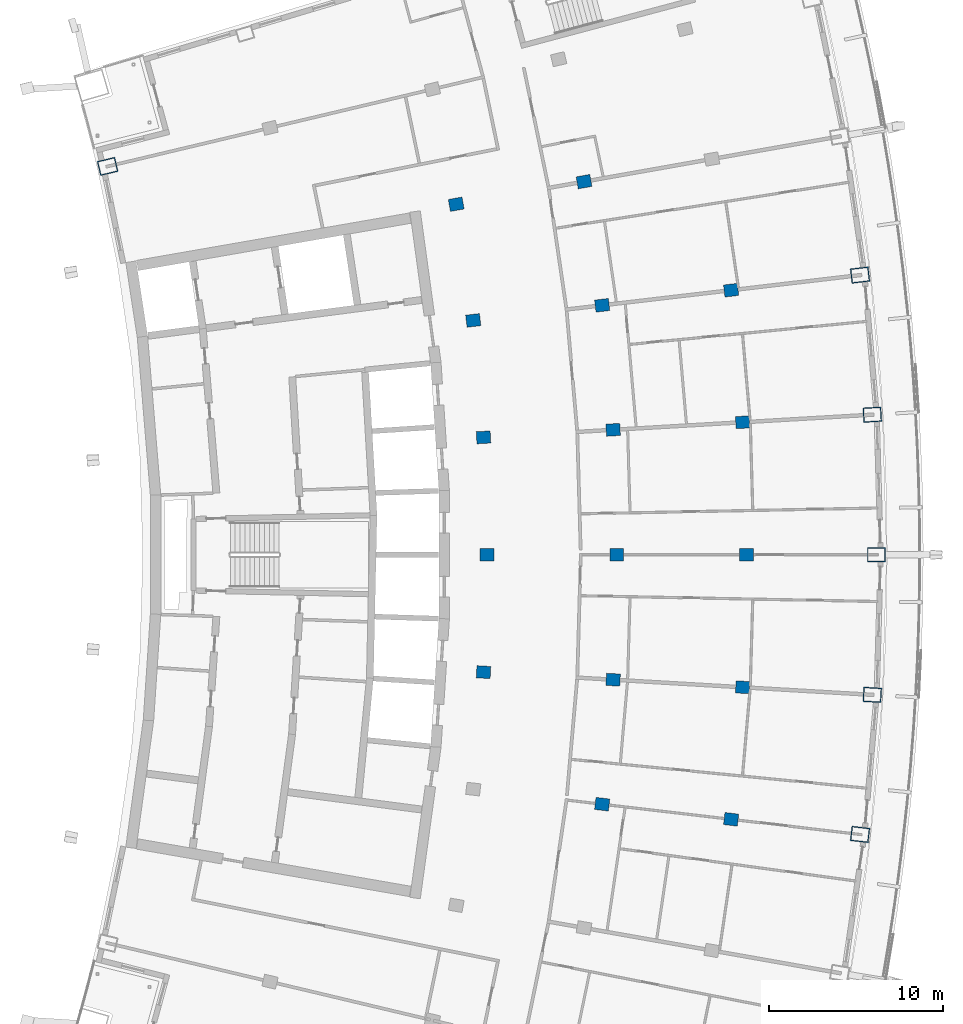
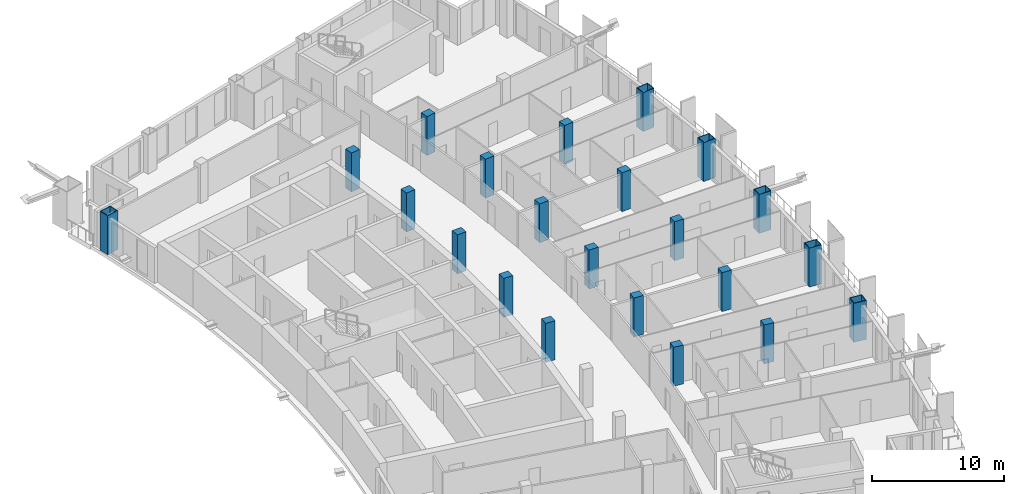
# One storey, part 6 of 21: 22 columns.
"""IFC4 building model written with IfcOpenShell, lengths in metres."""

from ifc_helpers import new_model, si_unit, direction, frame, origin, origin_2d, place, context, subcontext, project, spatial, rectangle, hollow_rectangle, extrude, material, material_profile, profile_set, type_object, element, save


model = new_model("IFC4")

# Units and contexts
model_context = context("Model", 3, precision=1e-05, world=origin(), true_north=direction((0.0, 1.0)))
body_context = subcontext(model_context, "Body", "Model", "MODEL_VIEW")
ifc_project = project(units=[si_unit("LENGTHUNIT", "METRE"), si_unit("AREAUNIT", "SQUARE_METRE"), si_unit("VOLUMEUNIT", "CUBIC_METRE"), si_unit("PLANEANGLEUNIT", "RADIAN"), si_unit("MASSUNIT", "GRAM", prefix="KILO")], contexts=[model_context])

# Site, building, storey
site_placement = place(None, origin())
site = spatial("IfcSite", under=ifc_project, at=site_placement, CompositionType="ELEMENT")
building_placement = place(site_placement, origin())
building = spatial("IfcBuilding", under=site, at=building_placement, Name="Alderwake Tower", CompositionType="ELEMENT")
storey_placement = place(building_placement, frame((0.0, 0.0, 207.199951171875)))
storey = spatial("IfcBuildingStorey", under=building, at=storey_placement, Name="L51", CompositionType="ELEMENT", Elevation=207.199951171875)

# Columns
ifc_material_1 = material(Name="Concrete C70/85", Category="concrete")
ifc_material_profile_1 = material_profile(ifc_material_1, rectangle(XDim=0.699951171875, YDim=0.800048828125, at=origin_2d()), Name="RC 800X700")
ifc_profile_set_1 = profile_set([ifc_material_profile_1], Name="Concrete C70/85")
column_type_1 = type_object("IfcColumnType", Name="Interior column Z4", PredefinedType="COLUMN", material=ifc_profile_set_1)
for number, where, z_axis, x_axis, name in (
    (1, (42.4287109375, 46.651611328125, 0.0), (0.0, 0.0, 1.0), (0.116402054316, 0.993202175668, 0.0), "Column R05-C3"),
    (2, (49.844482421875, 45.782470703125, 0.0), (0.0, 0.0, 1.0), (0.116402054316, 0.993202175668, 0.0), "Column R05-C4"),
    (3, (35.60302734375, 54.248779296875, 0.0), (0.0, 0.0, 1.0), (0.058301061284, 0.998299046505, 0.0), "Column R06-C2"),
    (4, (43.056884765625, 53.8134765625, 0.0), (0.0, 0.0, 1.0), (0.058301061284, 0.998299046505, 0.0), "Column R06-C3"),
    (5, (50.510986328125, 53.378173828125, 0.0), (0.0, 0.0, 1.0), (0.058301061284, 0.998299046505, 0.0), "Column R06-C4"),
    (6, (35.800048828125, 61.0, 0.0), (0.0, 0.0, 1.0), (0.0, 1.0, 0.0), "Column R07-C2"),
    (7, (43.2666015625, 61.0, 0.0), (0.0, 0.0, 1.0), (0.0, 1.0, 0.0), "Column R07-C3"),
    (8, (50.7333984375, 61.0, 0.0), (0.0, 0.0, 1.0), (0.0, 1.0, 0.0), "Column R07-C4"),
    (9, (35.60302734375, 67.751220703125, 0.0), (0.0, 0.0, 1.0), (-0.058301061284, 0.998299046505, 0.0), "Column R08-C2"),
    (10, (43.056884765625, 68.1865234375, 0.0), (0.0, 0.0, 1.0), (-0.058301061284, 0.998299046505, 0.0), "Column R08-C3"),
    (11, (50.510986328125, 68.621826171875, 0.0), (0.0, 0.0, 1.0), (-0.058301061284, 0.998299046505, 0.0), "Column R08-C4"),
    (12, (35.0126953125, 74.4794921875, 0.0), (0.0, 0.0, 1.0), (-0.116402054316, 0.993202175668, 0.0), "Column R09-C2"),
    (13, (42.4287109375, 75.348388671875, 0.0), (0.0, 0.0, 1.0), (-0.116402054316, 0.993202175668, 0.0), "Column R09-C3"),
    (14, (49.844482421875, 76.217529296875, 0.0), (0.0, 0.0, 1.0), (-0.116402054316, 0.993202175668, 0.0), "Column R09-C4"),
    (15, (34.03125, 81.16162109375, 0.0), (0.0, 0.0, 1.0), (-0.174108800747, 0.984726421654, 0.0), "Column R10-C2"),
    (16, (41.384033203125, 82.461669921875, 0.0), (0.0, 0.0, 1.0), (-0.174107082075, 0.984726725529, 0.0), "Column R10-C3"),
):
    element("IfcColumn", number, at=place(storey_placement, frame(where, z_axis=z_axis, x_axis=x_axis)), inside=storey, type_object=column_type_1, Name=name, PredefinedType="COLUMN", context=body_context, shape_type="SweptSolid", body=[
        extrude(rectangle(XDim=0.699951171875, YDim=0.800048828125, at=origin_2d()), origin(), (0.0, 0.0, 1.0), 3.60009765625),
    ])
ifc_material_2 = material(Name="Steel ASTM A572 Grade 50 concrete filled C70/85", Category="concrete")
ifc_material_profile_2 = material_profile(ifc_material_2, hollow_rectangle(XDim=0.85009765625, YDim=1.050048828125, WallThickness=0.054931640625, at=origin_2d()), Name="BOX 1050X850X55")
ifc_profile_set_2 = profile_set([ifc_material_profile_2], Name="Steel ASTM A572 Grade 50 concrete filled C70/85")
column_type_2 = type_object("IfcColumnType", Name="Perimeter column Z4", PredefinedType="COLUMN", material=ifc_profile_set_2)
for number, where, z_axis, x_axis, name in (
    (17, (57.260498046875, 44.9130859375, 0.0), (0.0, 0.0, 1.0), (0.116402054316, 0.993202175668, 0.0), "Column R05-C5"),
    (18, (57.96484375, 52.94287109375, 0.0), (0.0, 0.0, 1.0), (0.058301061284, 0.998299046505, 0.0), "Column R06-C5"),
    (19, (58.199951171875, 61.0, 0.0), (0.0, 0.0, 1.0), (0.0, 1.0, 0.0), "Column R07-C5"),
    (20, (57.96484375, 69.05712890625, 0.0), (0.0, 0.0, 1.0), (-0.058301061284, 0.998299046505, 0.0), "Column R08-C5"),
    (21, (57.260498046875, 77.0869140625, 0.0), (0.0, 0.0, 1.0), (-0.116402054316, 0.993202175668, 0.0), "Column R09-C5"),
    (22, (13.982177734375, 83.3359375, 0.0), (0.0, 0.0, 1.0), (-0.231221547198, 0.972901123502, 0.0), "Column R11-C0"),
):
    element("IfcColumn", number, at=place(storey_placement, frame(where, z_axis=z_axis, x_axis=x_axis)), inside=storey, type_object=column_type_2, Name=name, PredefinedType="COLUMN", context=body_context, shape_type="SweptSolid", body=[
        extrude(hollow_rectangle(XDim=0.85009765625, YDim=1.050048828125, WallThickness=0.054931640625, at=origin_2d()), origin(), (0.0, 0.0, 1.0), 3.60009765625),
    ])

save(model, "model.ifc")
